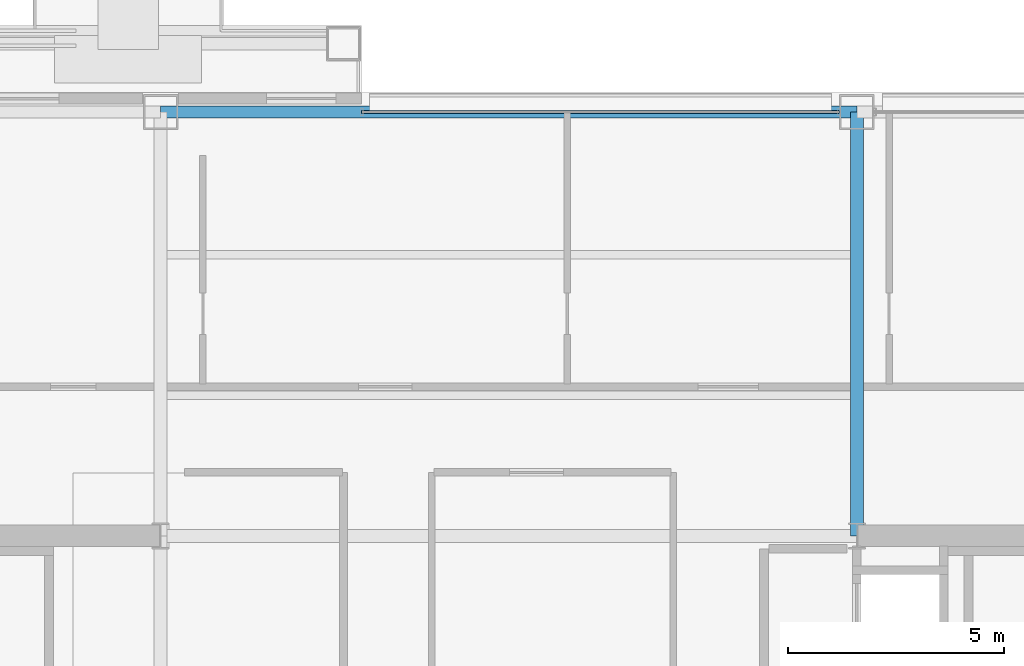
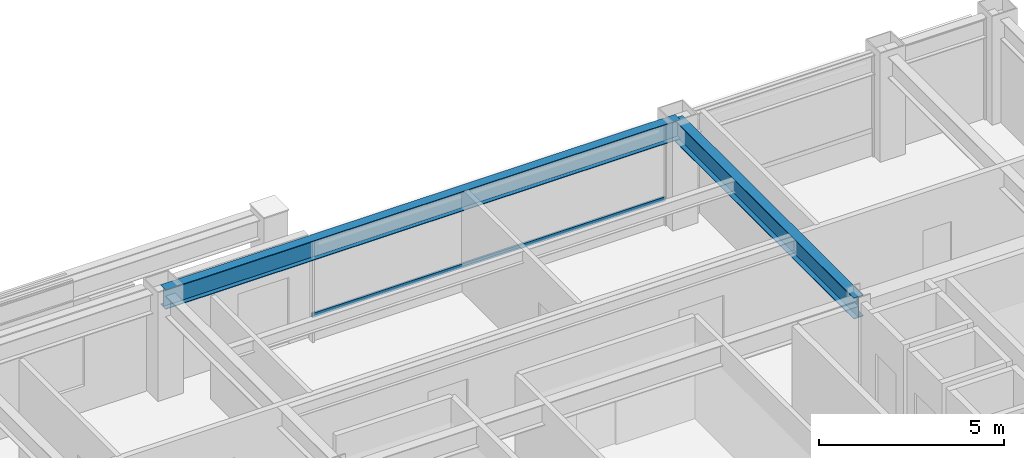
# One storey, part 20 of 29: 2 beams, 1 member, 1 element without a shape of its own.
"""IFC4 building model written with IfcOpenShell, lengths in metres."""

from ifc_helpers import new_model, si_unit, direction, frame, origin, origin_2d, place, context, subcontext, project, spatial, hollow_rectangle, i_section, extrude, material, layer, layer_set, material_profile, profile_set, type_object, element, aggregate, save


model = new_model("IFC4")

# Units and contexts
model_context = context("Model", 3, precision=1e-05, world=origin(), true_north=direction((0.0, 1.0)))
body_context = subcontext(model_context, "Body", "Model", "MODEL_VIEW")
ifc_project = project(units=[si_unit("LENGTHUNIT", "METRE"), si_unit("AREAUNIT", "SQUARE_METRE"), si_unit("VOLUMEUNIT", "CUBIC_METRE"), si_unit("PLANEANGLEUNIT", "RADIAN"), si_unit("MASSUNIT", "GRAM", prefix="KILO")], contexts=[model_context])

# Site, building, storey
site_placement = place(None, origin())
site = spatial("IfcSite", under=ifc_project, at=site_placement, CompositionType="ELEMENT")
building_placement = place(site_placement, origin())
building = spatial("IfcBuilding", under=site, at=building_placement, Name="Brelmoor Portico Tower", CompositionType="ELEMENT")
storey_placement = place(building_placement, frame((0.0, 0.0, 138.60009765625)))
storey = spatial("IfcBuildingStorey", under=building, at=storey_placement, Name="L36", CompositionType="ELEMENT", Elevation=138.60009765625)

# Beams
ifc_material_1 = material(Name="Steel Q355B", Category="steel")
ifc_material_profile_1 = material_profile(ifc_material_1, i_section(OverallWidth=0.300048828125, OverallDepth=0.699951171875, WebThickness=0.012939453125, FlangeThickness=0.02392578125, at=origin_2d()), Name="HN 700x300x13x24")
ifc_profile_set_1 = profile_set([ifc_material_profile_1], Name="Steel Q355B")
beam_type_1 = type_object("IfcBeamType", Name="BM-PG-700", PredefinedType="BEAM", material=ifc_profile_set_1)
beam_1_placement = place(storey_placement, frame((8.050048828125, 9.75, 3.0498046875), z_axis=(0.0, 1.0, 0.0), x_axis=(-1.0, 0.0, 0.0)))
element("IfcBeam", 1, at=beam_1_placement, inside=storey, type_object=beam_type_1, Name="L36 Primary Floor Girder PG-09", PredefinedType="BEAM", context=body_context, shape_type="SweptSolid", body=[
    extrude(i_section(OverallWidth=0.300048828125, OverallDepth=0.699951171875, WebThickness=0.012939453125, FlangeThickness=0.02392578125, at=origin_2d()), origin(), (0.0, 0.0, 1.0), 9.800048828125),
])
ifc_material_profile_2 = material_profile(ifc_material_1, i_section(OverallWidth=0.280029296875, OverallDepth=0.64990234375, WebThickness=0.012939453125, FlangeThickness=0.02197265625, at=origin_2d()), Name="HN 650x280x13x22")
ifc_profile_set_2 = profile_set([ifc_material_profile_2], Name="Steel Q355B")
beam_type_2 = type_object("IfcBeamType", Name="BM-SP-650", PredefinedType="SPANDREL", material=ifc_profile_set_2)
beam_2_placement = place(storey_placement, frame((-8.050048828125, 19.550048828125, 3.074951171875), z_axis=(1.0, 0.0, 0.0), x_axis=(0.0, 1.0, 0.0)))
element("IfcBeam", 2, at=beam_2_placement, inside=storey, type_object=beam_type_2, Name="L36 Perimeter Spandrel Beam SP-12", PredefinedType="SPANDREL", context=body_context, shape_type="SweptSolid", body=[
    extrude(i_section(OverallWidth=0.280029296875, OverallDepth=0.64990234375, WebThickness=0.012939453125, FlangeThickness=0.02197265625, at=origin_2d()), origin(), (0.0, 0.0, 1.0), 16.10009765625),
])

# Curtain wall, member
ifc_material_2 = material(Name="Anodised Aluminium Alloy 6063-T6", Category="aluminium")
ifc_layer = layer(ifc_material_2, 0.179931640625)
ifc_layer_set = layer_set([ifc_layer], Name="Anodised Aluminium Alloy 6063-T6")
curtain_wall_type = type_object("IfcCurtainWallType", Name="CW-TOWER-Z2", PredefinedType="NOTDEFINED", material=ifc_layer_set)
curtain_wall_placement = place(storey_placement, origin())
curtain_wall = element("IfcCurtainWall", 3, at=curtain_wall_placement, inside=storey, type_object=curtain_wall_type, Name="L36 Curtain Wall CW-L36-2R-1", PredefinedType="NOTDEFINED")
ifc_material_profile_3 = material_profile(ifc_material_2, hollow_rectangle(XDim=0.06494140625, YDim=0.139892578125, WallThickness=0.00390625, at=origin_2d()), Name="ALU TRANSOM 65x140")
ifc_profile_set_3 = profile_set([ifc_material_profile_3], Name="Anodised Aluminium Alloy 6063-T6")
member_type = type_object("IfcMemberType", Name="MB-CW-TRAN-140", PredefinedType="USERDEFINED", material=ifc_profile_set_3)
member_placement = place(storey_placement, frame((-3.39990234375, 19.550048828125, 0.849853515625), z_axis=(1.0, 0.0, 0.0), x_axis=(0.0, 1.0, 0.0)))
member = element("IfcMember", 4, at=member_placement, type_object=member_type, Name="CW-L36-2R-1 Transom 1-00", ObjectType="TRANSOM", PredefinedType="USERDEFINED", context=body_context, shape_type="SweptSolid", body=[
    extrude(hollow_rectangle(XDim=0.06494140625, YDim=0.139892578125, WallThickness=0.00390625, at=origin_2d()), origin(), (0.0, 0.0, 1.0), 11.039794921875),
])
aggregate(curtain_wall, [member])

save(model, "model.ifc")
